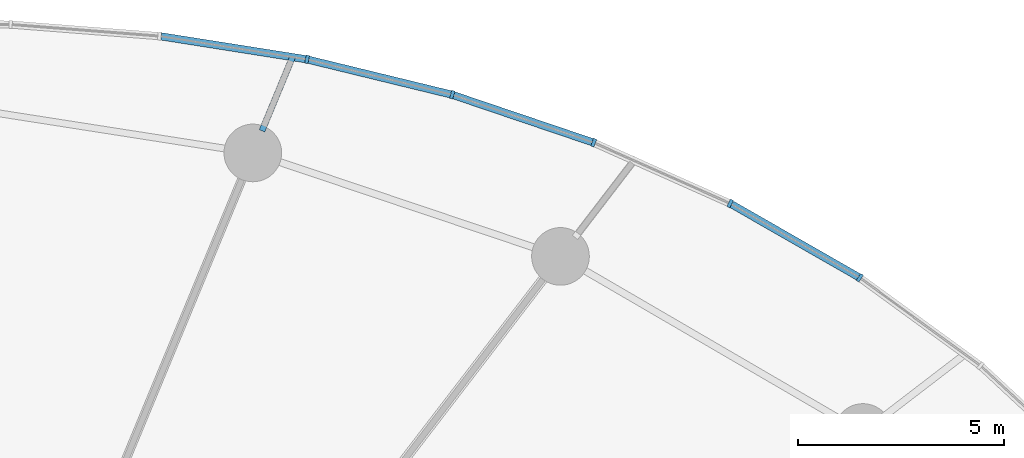
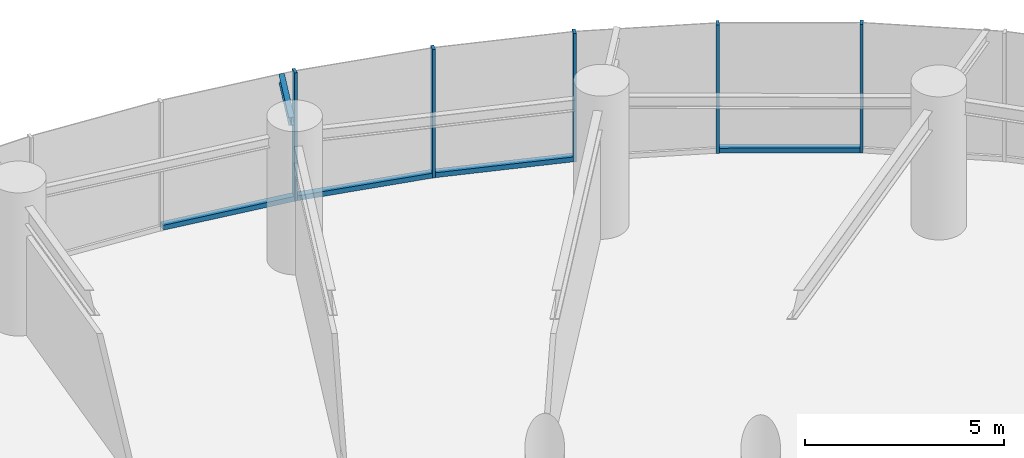
# One storey, part 8 of 19: 9 members, 1 beam, 1 element without a shape of its own.
"""IFC4 building model written with IfcOpenShell, lengths in metres."""

import ifcopenshell
import ifcopenshell.guid

model = None  # the IFC model being written
_history = None  # IfcOwnerHistory: only IFC2X3 demands one
_inside = {}  # id of a spatial element -> (the spatial element, [elements in it])
_under = {}  # id of a project, library or spatial element -> (it, [spatial elements below it])
_declared = {}  # id of a project -> (the project, [libraries it declares])
_typed = {}  # id of a type object -> (the type object, [elements of that type])
_made_of = {}  # id of a material, layer set ... -> (it, [elements and type objects made of it])


def new_model(schema):
    """Start an empty IFC model of exactly this schema.

    Asked for "IFC4X3", IfcOpenShell would pick the latest addendum, in which some entities
    have other attributes; the version numbers below select the first issue.
    IFC2X3 requires an IfcOwnerHistory on every rooted entity: one is made here for all.
    """
    global model, _history
    if schema == "IFC4X3":
        model = ifcopenshell.file(schema_version=(4, 3, 0, 0))
    else:
        model = ifcopenshell.file(schema=schema)
    _inside.clear()
    _under.clear()
    _declared.clear()
    _typed.clear()
    _made_of.clear()
    _history = None
    if model.schema == "IFC2X3":
        org = make("IfcOrganization", Name="unknown")
        user = make(
            "IfcPersonAndOrganization",
            ThePerson=make("IfcPerson", FamilyName="unknown"),
            TheOrganization=org,
        )
        app = make(
            "IfcApplication",
            ApplicationDeveloper=org,
            Version="unknown",
            ApplicationFullName="unknown",
            ApplicationIdentifier="unknown",
        )
        _history = make(
            "IfcOwnerHistory",
            OwningUser=user,
            OwningApplication=app,
            ChangeAction="ADDED",
            CreationDate=0,
        )
    return model


def make(cls, **values):
    """One entity of the class cls with the attributes given. An attribute that is None is left unset."""
    return model.create_entity(
        cls, **{name: value for name, value in values.items() if value is not None}
    )


def rooted(cls, **values):
    """An entity with a GlobalId (a new one), such as an element, a storey or a relation."""
    return make(cls, GlobalId=ifcopenshell.guid.new(), OwnerHistory=_history, **values)


def si_unit(unit_type, name, prefix=None):
    """IfcSIUnit, for example si_unit("LENGTHUNIT", "METRE", prefix="MILLI")."""
    return make("IfcSIUnit", UnitType=unit_type, Prefix=prefix, Name=name)


def assignment(units):
    """IfcUnitAssignment: the units of a project."""
    return None if units is None else make("IfcUnitAssignment", Units=units)


def point(xyz):
    """IfcCartesianPoint."""
    return None if xyz is None else make("IfcCartesianPoint", Coordinates=xyz)


def direction(xyz):
    """IfcDirection."""
    return None if xyz is None else make("IfcDirection", DirectionRatios=xyz)


def frame(location, z_axis=None, x_axis=None):
    """IfcAxis2Placement3D, a coordinate frame: its origin and axes. An axis left out is left unset."""
    return make(
        "IfcAxis2Placement3D",
        Location=point(location),
        Axis=direction(z_axis),
        RefDirection=direction(x_axis),
    )


def frame_2d(location, x_axis=None):
    """IfcAxis2Placement2D, a coordinate frame in the plane: its origin and x axis."""
    return make(
        "IfcAxis2Placement2D", Location=point(location), RefDirection=direction(x_axis)
    )


def origin():
    """The frame at (0, 0, 0) with its axes left unset."""
    return frame((0.0, 0.0, 0.0))


def origin_2d():
    """The frame at (0, 0) in the plane with its x axis left unset."""
    return frame_2d((0.0, 0.0))


def place(relative_to, where):
    """IfcLocalPlacement: puts the frame where relative to a parent placement (None: the world)."""
    return make(
        "IfcLocalPlacement", PlacementRelTo=relative_to, RelativePlacement=where
    )


def context(
    kind, dimensions, precision=None, world=None, true_north=None, identifier=None
):
    """IfcGeometricRepresentationContext, for example the 3D "Model" context."""
    return make(
        "IfcGeometricRepresentationContext",
        ContextIdentifier=identifier,
        ContextType=kind,
        CoordinateSpaceDimension=dimensions,
        Precision=precision,
        WorldCoordinateSystem=world,
        TrueNorth=true_north,
    )


def subcontext(parent, identifier, kind, view, scale=None):
    """IfcGeometricRepresentationSubContext, for example "Body" below "Model"."""
    return make(
        "IfcGeometricRepresentationSubContext",
        ContextIdentifier=identifier,
        ContextType=kind,
        ParentContext=parent,
        TargetScale=scale,
        TargetView=view,
    )


def project(units=None, contexts=None):
    """IfcProject with its units and contexts."""
    return rooted(
        "IfcProject",
        Name="project",
        RepresentationContexts=contexts,
        UnitsInContext=assignment(units),
    )


def spatial(cls, under=None, at=None, **own):
    """A site, building, storey or space (cls), placed at a placement, below another one or the project."""
    s = rooted(cls, ObjectPlacement=at, **own)
    if under is not None:
        _under.setdefault(under.id(), (under, []))[1].append(s)
    return s


def profile(cls, at=None, kind="AREA", **sizes):
    """A parametric profile (cls). Its sizes go by their IFC names, for example OverallWidth=200.0."""
    return make(cls, ProfileType=kind, Position=at, **sizes)


def rectangle(**sizes):
    """IfcRectangleProfileDef."""
    return profile("IfcRectangleProfileDef", **sizes)


def i_section(**sizes):
    """IfcIShapeProfileDef."""
    return profile("IfcIShapeProfileDef", **sizes)


def extrude(swept, where, along, depth):
    """IfcExtrudedAreaSolid: the profile swept, set in the frame where, extruded along a direction by depth."""
    return make(
        "IfcExtrudedAreaSolid",
        SweptArea=swept,
        Position=where,
        ExtrudedDirection=direction(along),
        Depth=depth,
    )


def shape(context_of_items, identifier, shape_type, items):
    """IfcShapeRepresentation: the items that make up one representation, for example the "Body"."""
    return make(
        "IfcShapeRepresentation",
        ContextOfItems=context_of_items,
        RepresentationIdentifier=identifier,
        RepresentationType=shape_type,
        Items=items,
    )


def source(mapping_origin, context_of_items, identifier, shape_type, items):
    """IfcRepresentationMap: a shape defined once, which mapped items show again and again."""
    return make(
        "IfcRepresentationMap",
        MappingOrigin=mapping_origin,
        MappedRepresentation=shape(context_of_items, identifier, shape_type, items),
    )


def transform(
    local_origin,
    x_axis=None,
    y_axis=None,
    z_axis=None,
    scale=None,
    scale2=None,
    scale3=None,
    uniform=True,
):
    """IfcCartesianTransformationOperator3D, or its non-uniform kind. x_axis, y_axis, z_axis: its Axis1, 2, 3."""
    if uniform:
        return make(
            "IfcCartesianTransformationOperator3D",
            Axis1=direction(x_axis),
            Axis2=direction(y_axis),
            LocalOrigin=point(local_origin),
            Scale=scale,
            Axis3=direction(z_axis),
        )
    return make(
        "IfcCartesianTransformationOperator3DnonUniform",
        Axis1=direction(x_axis),
        Axis2=direction(y_axis),
        LocalOrigin=point(local_origin),
        Scale=scale,
        Axis3=direction(z_axis),
        Scale2=scale2,
        Scale3=scale3,
    )


def mapped(mapping_source, mapping_target):
    """IfcMappedItem: shows the shape of a source again, moved by a transform."""
    return make(
        "IfcMappedItem", MappingSource=mapping_source, MappingTarget=mapping_target
    )


def material(Name=None, Category=None):
    """IfcMaterial."""
    return make("IfcMaterial", Name=Name, Category=Category)


def layer(
    of_material, thickness, ventilated=None, Name=None, Category=None, Priority=None
):
    """IfcMaterialLayer: one layer of a wall or slab, of a material (None: an air gap)."""
    return make(
        "IfcMaterialLayer",
        Material=of_material,
        LayerThickness=thickness,
        IsVentilated=ventilated,
        Name=Name,
        Category=Category,
        Priority=Priority,
    )


def layer_set(layers, Name=None):
    """IfcMaterialLayerSet."""
    return make("IfcMaterialLayerSet", MaterialLayers=layers, LayerSetName=Name)


def material_profile(
    of_material, cross_section, Name=None, Category=None, Priority=None
):
    """IfcMaterialProfile: a cross section and its material."""
    return make(
        "IfcMaterialProfile",
        Name=Name,
        Material=of_material,
        Profile=cross_section,
        Priority=Priority,
        Category=Category,
    )


def profile_set(profiles, Name=None, composite=None):
    """IfcMaterialProfileSet."""
    return make(
        "IfcMaterialProfileSet",
        Name=Name,
        MaterialProfiles=profiles,
        CompositeProfile=composite,
    )


def made_of(thing, what):
    """Note that an element or type object is made of a material, layer set ...; save() writes the relation."""
    if what is not None:
        _made_of.setdefault(what.id(), (what, []))[1].append(thing)
    return thing


def type_object(cls, material=None, **own):
    """A type object (cls), such as IfcWallType, which elements share."""
    return made_of(rooted(cls, **own), material)


def element(
    cls,
    number,
    at=None,
    inside=None,
    cuts=None,
    type_object=None,
    material=None,
    context=None,
    identifier="Body",
    shape_type=None,
    held_by="IfcProductDefinitionShape",
    body=None,
    shapes=None,
    **own,
):
    """One element of the class cls, such as IfcWall. Its Tag is "e" and its number.

    at: its placement. inside: the storey or other place that contains it. cuts: it is an
    opening in that element (IfcRelVoidsElement). A single representation is given by context,
    identifier, shape_type and body (its items); several are given by shapes. held_by: the class
    of the entity that holds the representations. save() writes the other relations.
    """
    e = rooted(cls, Tag="e%d" % number, ObjectPlacement=at, **own)
    if body is not None:
        shapes = [shape(context, identifier, shape_type, body)]
    if shapes is not None:
        e.Representation = make(held_by, Representations=shapes)
    if inside is not None:
        _inside.setdefault(inside.id(), (inside, []))[1].append(e)
    if cuts is not None:
        rooted(
            "IfcRelVoidsElement", RelatingBuildingElement=cuts, RelatedOpeningElement=e
        )
    if type_object is not None:
        _typed.setdefault(type_object.id(), (type_object, []))[1].append(e)
    return made_of(e, material)


def aggregate(whole, parts):
    """IfcRelAggregates: a whole, such as a stair, and the parts it consists of."""
    return rooted("IfcRelAggregates", RelatingObject=whole, RelatedObjects=parts)


def save(model, path):
    """Write the relations noted so far, then the file.

    IfcRelAggregates (storeys below a building ...), IfcRelContainedInSpatialStructure (elements
    in a storey), IfcRelDefinesByType, IfcRelAssociatesMaterial and IfcRelDeclares: one each for
    every whole, place, type object, material and project.
    """
    for whole, parts in _under.values():
        aggregate(whole, parts)
    for where, things in _inside.values():
        rooted(
            "IfcRelContainedInSpatialStructure",
            RelatedElements=things,
            RelatingStructure=where,
        )
    for kind, things in _typed.values():
        rooted("IfcRelDefinesByType", RelatedObjects=things, RelatingType=kind)
    for what, things in _made_of.values():
        rooted("IfcRelAssociatesMaterial", RelatedObjects=things, RelatingMaterial=what)
    for by, libraries in _declared.values():
        rooted("IfcRelDeclares", RelatingContext=by, RelatedDefinitions=libraries)
    model.write(path)


model = new_model("IFC4")

# Units and contexts
model_context = context("Model", 3, precision=1e-05, world=origin(), true_north=direction((0.0, 1.0)))
body_context = subcontext(model_context, "Body", "Model", "MODEL_VIEW")
ifc_project = project(units=[si_unit("LENGTHUNIT", "METRE"), si_unit("AREAUNIT", "SQUARE_METRE"), si_unit("VOLUMEUNIT", "CUBIC_METRE"), si_unit("PLANEANGLEUNIT", "RADIAN"), si_unit("MASSUNIT", "GRAM", prefix="KILO")], contexts=[model_context])

# Site, building, storey
site_placement = place(None, origin())
site = spatial("IfcSite", under=ifc_project, at=site_placement, CompositionType="ELEMENT")
building_placement = place(site_placement, origin())
building = spatial("IfcBuilding", under=site, at=building_placement, Name="Spindrift Exchange Tower", CompositionType="ELEMENT")
storey_placement = place(building_placement, frame((0.0, 0.0, 53.39990234375)))
storey = spatial("IfcBuildingStorey", under=building, at=storey_placement, Name="L12", CompositionType="ELEMENT", Elevation=53.39990234375)

# Beam
ifc_material_1 = material(Name="Steel Grade 300", Category="steel")
ifc_material_profile_1 = material_profile(ifc_material_1, i_section(OverallWidth=0.14599609375, OverallDepth=0.251953125, WebThickness=0.006103515625, FlangeThickness=0.008544921875, FilletRadius=0.011962890625, at=origin_2d()), Name="250UB31.4")
ifc_profile_set_1 = profile_set([ifc_material_profile_1], Name="Steel Grade 300")
beam_type = type_object("IfcBeamType", Name="Cantilever Beam 250UB31.4 Steel Grade 300", PredefinedType="BEAM", material=ifc_profile_set_1)
shared_shape_1 = source(origin(), body_context, "Body", "SweptSolid", [
    extrude(i_section(OverallWidth=0.14599609375, OverallDepth=0.251953125, WebThickness=0.006103515625, FlangeThickness=0.008544921875, FilletRadius=0.011962890625, at=origin_2d()), origin(), (0.0, 0.0, 1.0), 1.932373046875),
])
beam_placement = place(storey_placement, frame((63.244873046875, 75.147216796875, 3.82421875), z_axis=(0.382667927842, 0.923885954543, 0.0), x_axis=(-0.923885954543, 0.382667927842, 0.0)))
element("IfcBeam", 1, at=beam_placement, inside=storey, type_object=beam_type, Name="L12 cantilever beam R05T", PredefinedType="BEAM", context=body_context, shape_type="MappedRepresentation", body=[
    mapped(shared_shape_1, transform((0.0, 0.0, 0.0), scale=1.0)),
])

# Curtain wall, members
ifc_material_2 = material(Name="Fritted laminated glass with bronze frame", Category="glass")
ifc_layer = layer(ifc_material_2, 0.199951171875)
ifc_layer_set = layer_set([ifc_layer], Name="ZONE 1 BRONZE FRITTED WALL")
curtain_wall_type = type_object("IfcCurtainWallType", Name="ZONE 1 BRONZE FRITTED WALL", PredefinedType="NOTDEFINED", material=ifc_layer_set)
curtain_wall_placement = place(storey_placement, origin())
curtain_wall = element("IfcCurtainWall", 2, at=curtain_wall_placement, inside=storey, type_object=curtain_wall_type, Name="L12 Zone 1 Bronze Fritted Wall run 2", PredefinedType="NOTDEFINED")
ifc_material_3 = material(Name="Bronze anodised aluminium", Category="aluminium")
ifc_material_profile_2 = material_profile(ifc_material_3, rectangle(XDim=0.179931640625, YDim=0.14990234375, at=origin_2d()), Name="ZONE 1 BRONZE FRITTED WALL TRANSOM 180X150")
ifc_profile_set_2 = profile_set([ifc_material_profile_2], Name="Bronze anodised aluminium")
member_type_1 = type_object("IfcMemberType", Name="ZONE 1 BRONZE FRITTED WALL TRANSOM 180X150", PredefinedType="USERDEFINED", material=ifc_profile_set_2)
shared_shape_2 = source(origin(), body_context, "Body", "SweptSolid", [
    extrude(rectangle(XDim=0.179931640625, YDim=0.14990234375, at=origin_2d()), origin(), (0.0, 0.0, 1.0), 3.546875),
])
member_1_placement = place(storey_placement, frame((71.262451171875, 74.874755859375, 0.0751953125), z_axis=(-0.947255837312, 0.320478359143, 0.0), x_axis=(-0.320478359143, -0.947255837312, 0.0)))
member_1 = element("IfcMember", 3, at=member_1_placement, type_object=member_type_1, Name="L12 transom CW-1.9", ObjectType="TRANSOM", PredefinedType="USERDEFINED", context=body_context, shape_type="MappedRepresentation", body=[
    mapped(shared_shape_2, transform((0.0, 0.0, 0.0), scale=1.0)),
])
shared_shape_3 = source(origin(), body_context, "Body", "SweptSolid", [
    extrude(rectangle(XDim=0.179931640625, YDim=0.14990234375, at=origin_2d()), origin(), (0.0, 0.0, 1.0), 3.54736328125),
])
member_2_placement = place(storey_placement, frame((67.825927734375, 76.033935546875, 0.0751953125), z_axis=(-0.971586381183, 0.236685242253, 0.0), x_axis=(-0.236685242253, -0.971586381183, 0.0)))
member_2 = element("IfcMember", 4, at=member_2_placement, type_object=member_type_1, Name="L12 transom CW-1.10", ObjectType="TRANSOM", PredefinedType="USERDEFINED", context=body_context, shape_type="MappedRepresentation", body=[
    mapped(shared_shape_3, transform((0.0, 0.0, 0.0), scale=1.0)),
])
member_3_placement = place(storey_placement, frame((64.301025390625, 76.88916015625, 0.0751953125), z_axis=(-0.987764081371, 0.155955505044, 0.0), x_axis=(-0.155955505044, -0.987764081371, 0.0)))
member_3 = element("IfcMember", 5, at=member_3_placement, type_object=member_type_1, Name="L12 transom CW-1.11", ObjectType="TRANSOM", PredefinedType="USERDEFINED", context=body_context, shape_type="MappedRepresentation", body=[
    mapped(shared_shape_3, transform((0.0, 0.0, 0.0), scale=1.0)),
])
shared_shape_4 = source(origin(), body_context, "Body", "SweptSolid", [
    extrude(rectangle(XDim=0.179931640625, YDim=0.14990234375, at=origin_2d()), origin(), (0.0, 0.0, 1.0), 3.546630859375),
])
member_4_placement = place(storey_placement, frame((77.724609375, 71.6015625, 0.0751953125), z_axis=(-0.867704635196, 0.49708014048, 0.0), x_axis=(-0.49708014048, -0.867704635196, 0.0)))
member_4 = element("IfcMember", 6, at=member_4_placement, type_object=member_type_1, Name="L12 transom CW-1.7", ObjectType="TRANSOM", PredefinedType="USERDEFINED", context=body_context, shape_type="MappedRepresentation", body=[
    mapped(shared_shape_4, transform((0.0, 0.0, 0.0), scale=1.0)),
])
ifc_material_profile_3 = material_profile(ifc_material_3, rectangle(XDim=0.080078125, YDim=0.199951171875, at=origin_2d()), Name="ZONE 1 BRONZE FRITTED WALL MULLION 80X200")
ifc_profile_set_3 = profile_set([ifc_material_profile_3], Name="Bronze anodised aluminium")
member_type_2 = type_object("IfcMemberType", Name="ZONE 1 BRONZE FRITTED WALL MULLION 80X200", PredefinedType="MULLION", material=ifc_profile_set_3)
shared_shape_5 = source(origin(), body_context, "Body", "SweptSolid", [
    extrude(rectangle(XDim=0.080078125, YDim=0.199951171875, at=origin_2d()), origin(), (0.0, 0.0, 1.0), 3.9501953125),
])
member_5_placement = place(storey_placement, frame((77.75927734375, 71.58154296875, 0.0), z_axis=(0.0, 0.0, 1.0), x_axis=(-0.839186650102, 0.543843512687, 0.0)))
member_5 = element("IfcMember", 7, at=member_5_placement, type_object=member_type_2, Name="L12 mullion CW-1.7", PredefinedType="MULLION", context=body_context, shape_type="MappedRepresentation", body=[
    mapped(shared_shape_5, transform((0.0, 0.0, 0.0), scale=1.0)),
])
member_6_placement = place(storey_placement, frame((74.612548828125, 73.384521484375, 0.0), z_axis=(0.0, 0.0, 1.0), x_axis=(-0.891595554501, 0.452832603943, 0.0)))
member_6 = element("IfcMember", 8, at=member_6_placement, type_object=member_type_2, Name="L12 mullion CW-1.8", PredefinedType="MULLION", context=body_context, shape_type="MappedRepresentation", body=[
    mapped(shared_shape_5, transform((0.0, 0.0, 0.0), scale=1.0)),
])
member_7_placement = place(storey_placement, frame((71.30029296875, 74.862060546875, 0.0), z_axis=(0.0, 0.0, 1.0), x_axis=(-0.931267956619, 0.364335001029, 0.0)))
member_7 = element("IfcMember", 9, at=member_7_placement, type_object=member_type_2, Name="L12 mullion CW-1.9", PredefinedType="MULLION", context=body_context, shape_type="MappedRepresentation", body=[
    mapped(shared_shape_5, transform((0.0, 0.0, 0.0), scale=1.0)),
])
member_8_placement = place(storey_placement, frame((67.86474609375, 76.0244140625, 0.0), z_axis=(0.0, 0.0, 1.0), x_axis=(-0.960329445351, 0.278867990978, 0.0)))
member_8 = element("IfcMember", 10, at=member_8_placement, type_object=member_type_2, Name="L12 mullion CW-1.10", PredefinedType="MULLION", context=body_context, shape_type="MappedRepresentation", body=[
    mapped(shared_shape_5, transform((0.0, 0.0, 0.0), scale=1.0)),
])
member_9_placement = place(storey_placement, frame((64.340576171875, 76.883056640625, 0.0), z_axis=(0.0, 0.0, 1.0), x_axis=(-0.980508900087, 0.196474672289, 0.0)))
member_9 = element("IfcMember", 11, at=member_9_placement, type_object=member_type_2, Name="L12 mullion CW-1.11", PredefinedType="MULLION", context=body_context, shape_type="MappedRepresentation", body=[
    mapped(shared_shape_5, transform((0.0, 0.0, 0.0), scale=1.0)),
])
aggregate(curtain_wall, [member_5, member_4, member_6, member_7, member_1, member_8, member_2, member_9, member_3])

save(model, "model.ifc")
